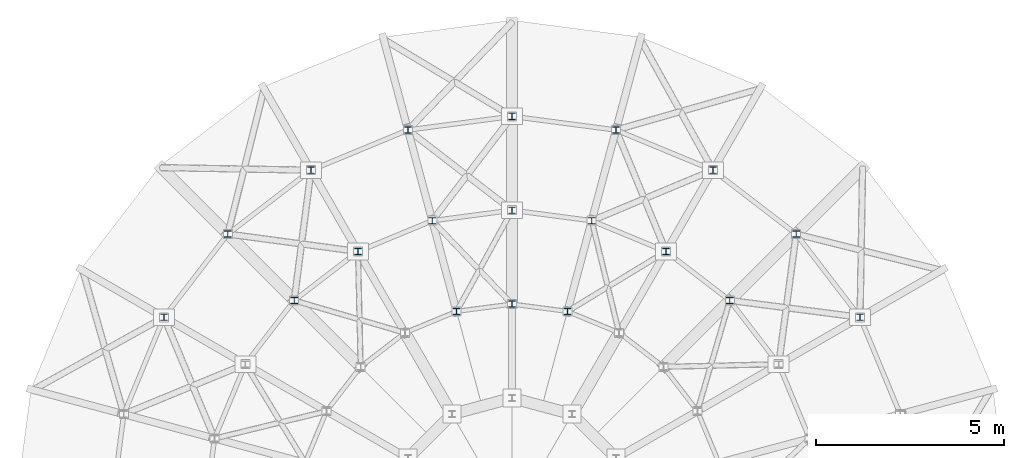
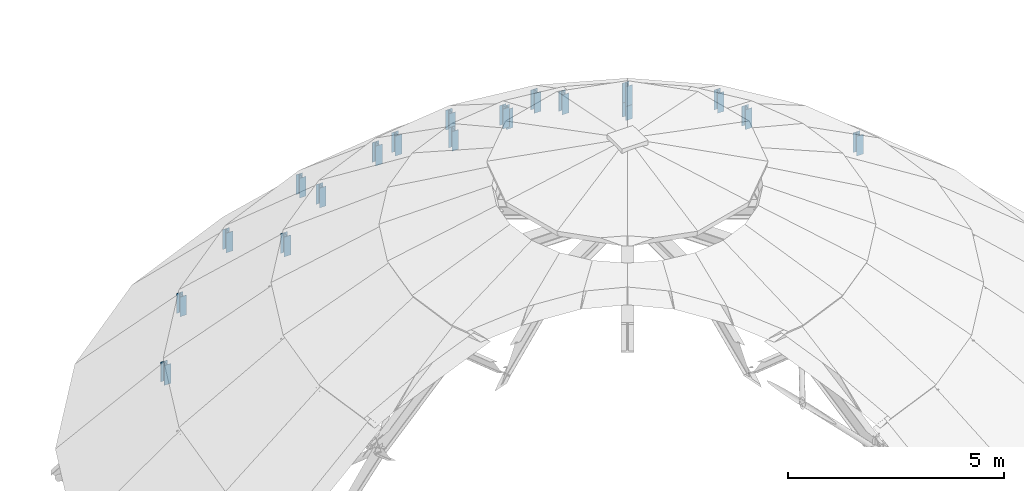
# One storey, part 22 of 31: 19 members.
"""IFC4 building model written with IfcOpenShell, lengths in metres."""

from ifc_helpers import new_model, si_unit, direction, frame, origin, origin_2d, place, context, subcontext, project, spatial, i_section, extrude, material, material_profile, profile_set, type_object, element, save


model = new_model("IFC4")

# Units and contexts
model_context = context("Model", 3, precision=1e-05, world=origin(), true_north=direction((0.0, 1.0)))
body_context = subcontext(model_context, "Body", "Model", "MODEL_VIEW")
ifc_project = project(units=[si_unit("LENGTHUNIT", "METRE"), si_unit("AREAUNIT", "SQUARE_METRE"), si_unit("VOLUMEUNIT", "CUBIC_METRE"), si_unit("PLANEANGLEUNIT", "RADIAN"), si_unit("MASSUNIT", "GRAM", prefix="KILO")], contexts=[model_context])

# Site, building, storey
site_placement = place(None, origin())
site = spatial("IfcSite", under=ifc_project, at=site_placement, CompositionType="ELEMENT")
building_placement = place(site_placement, origin())
building = spatial("IfcBuilding", under=site, at=building_placement, Name="Clarverna Civic Hall", CompositionType="ELEMENT")
storey_placement = place(building_placement, frame((0.0, 0.0, 31.199951171875)))
storey = spatial("IfcBuildingStorey", under=building, at=storey_placement, Name="RF", CompositionType="ELEMENT", Elevation=31.199951171875)

# Members
ifc_material = material(Name="Steel S355", Category="steel")
ifc_material_profile = material_profile(ifc_material, i_section(OverallWidth=0.179931640625, OverallDepth=0.1708984375, WebThickness=0.006103515625, FlangeThickness=0.009521484375, FilletRadius=0.014892578125, at=origin_2d()), Name="HEA 180")
ifc_profile_set = profile_set([ifc_material_profile], Name="Steel S355")
member_type = type_object("IfcMemberType", Name="CH-04", PredefinedType="CHORD", material=ifc_profile_set)
for number, where, z_axis, x_axis, name in (
    (1, (92.06640625, 64.35009765625, -8.099853515625), (0.0, 0.0, 1.0), (1.0, 0.0, 0.0), "CH-04-003"),
    (2, (90.365966796875, 66.56591796875, -8.099853515625), (0.0, 0.0, 1.0), (1.0, 0.0, 0.0), "CH-04-004"),
    (3, (88.14990234375, 68.2666015625, -8.099853515625), (0.0, 0.0, 1.0), (1.0, 0.0, 0.0), "CH-04-005"),
    (4, (85.5693359375, 69.33544921875, -8.099853515625), (0.0, 0.0, 1.0), (1.0, 0.0, 0.0), "CH-04-006"),
    (5, (82.800048828125, 69.699951171875, -8.099853515625), (0.0, 0.0, 1.0), (1.0, 0.0, 0.0), "CH-04-007"),
    (6, (80.030517578125, 69.33544921875, -8.099853515625), (0.0, 0.0, 1.0), (1.0, 0.0, 0.0), "CH-04-008"),
    (7, (77.449951171875, 68.2666015625, -8.099853515625), (0.0, 0.0, 1.0), (1.0, 0.0, 0.0), "CH-04-009"),
    (8, (75.23388671875, 66.56591796875, -8.099853515625), (0.0, 0.0, 1.0), (1.0, 0.0, 0.0), "CH-04-010"),
    (9, (73.533447265625, 64.35009765625, -8.099853515625), (0.0, 0.0, 1.0), (1.0, 0.0, 0.0), "CH-04-011"),
):
    element("IfcMember", number, at=place(storey_placement, frame(where, z_axis=z_axis, x_axis=x_axis)), inside=storey, type_object=member_type, Name=name, PredefinedType="CHORD", context=body_context, shape_type="SweptSolid", body=[
        extrude(i_section(OverallWidth=0.179931640625, OverallDepth=0.1708984375, WebThickness=0.006103515625, FlangeThickness=0.009521484375, FilletRadius=0.014892578125, at=origin_2d()), origin(), (0.0, 0.0, 1.0), 0.559814453125),
    ])
for number, where, z_axis, x_axis, name in (
    (10, (88.598388671875, 64.79833984375, -5.949951171875), (0.0, 0.0, 1.0), (1.0, 0.0, 0.0), "CH-04-028"),
    (11, (86.89990234375, 66.101318359375, -5.949951171875), (0.0, 0.0, 1.0), (1.0, 0.0, 0.0), "CH-04-029"),
    (12, (84.92236328125, 66.920654296875, -5.949951171875), (0.0, 0.0, 1.0), (1.0, 0.0, 0.0), "CH-04-030"),
    (13, (82.800048828125, 67.199951171875, -5.949951171875), (0.0, 0.0, 1.0), (1.0, 0.0, 0.0), "CH-04-031"),
    (14, (80.677734375, 66.920654296875, -5.949951171875), (0.0, 0.0, 1.0), (1.0, 0.0, 0.0), "CH-04-032"),
    (15, (78.699951171875, 66.101318359375, -5.949951171875), (0.0, 0.0, 1.0), (1.0, 0.0, 0.0), "CH-04-033"),
    (16, (77.001708984375, 64.79833984375, -5.949951171875), (0.0, 0.0, 1.0), (1.0, 0.0, 0.0), "CH-04-034"),
    (17, (84.275390625, 64.505859375, -4.300048828125), (0.0, 0.0, 1.0), (1.0, 0.0, 0.0), "CH-04-054"),
    (18, (82.800048828125, 64.699951171875, -4.300048828125), (0.0, 0.0, 1.0), (1.0, 0.0, 0.0), "CH-04-055"),
    (19, (81.32470703125, 64.505859375, -4.300048828125), (0.0, 0.0, 1.0), (1.0, 0.0, 0.0), "CH-04-056"),
):
    element("IfcMember", number, at=place(storey_placement, frame(where, z_axis=z_axis, x_axis=x_axis)), inside=storey, type_object=member_type, Name=name, PredefinedType="CHORD", context=body_context, shape_type="SweptSolid", body=[
        extrude(i_section(OverallWidth=0.179931640625, OverallDepth=0.1708984375, WebThickness=0.006103515625, FlangeThickness=0.009521484375, FilletRadius=0.014892578125, at=origin_2d()), origin(), (0.0, 0.0, 1.0), 0.56005859375),
    ])

save(model, "model.ifc")
